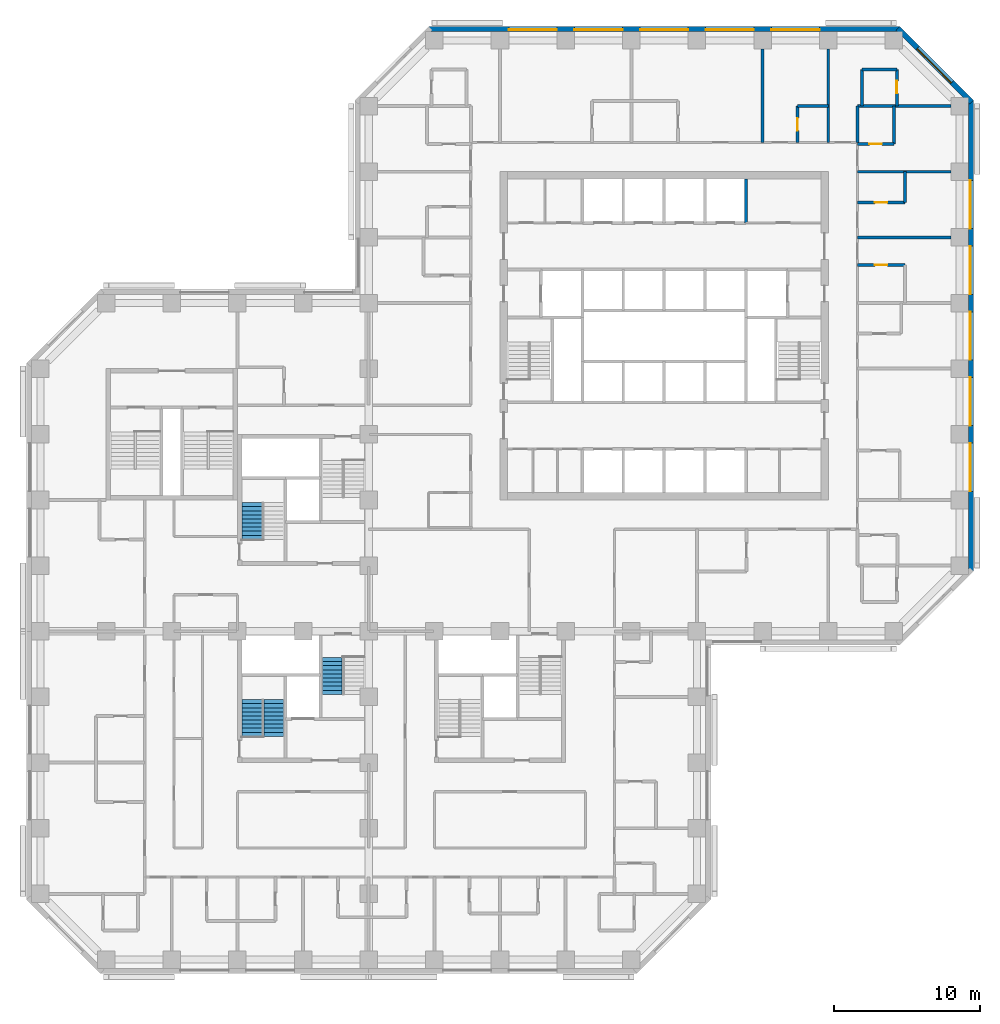
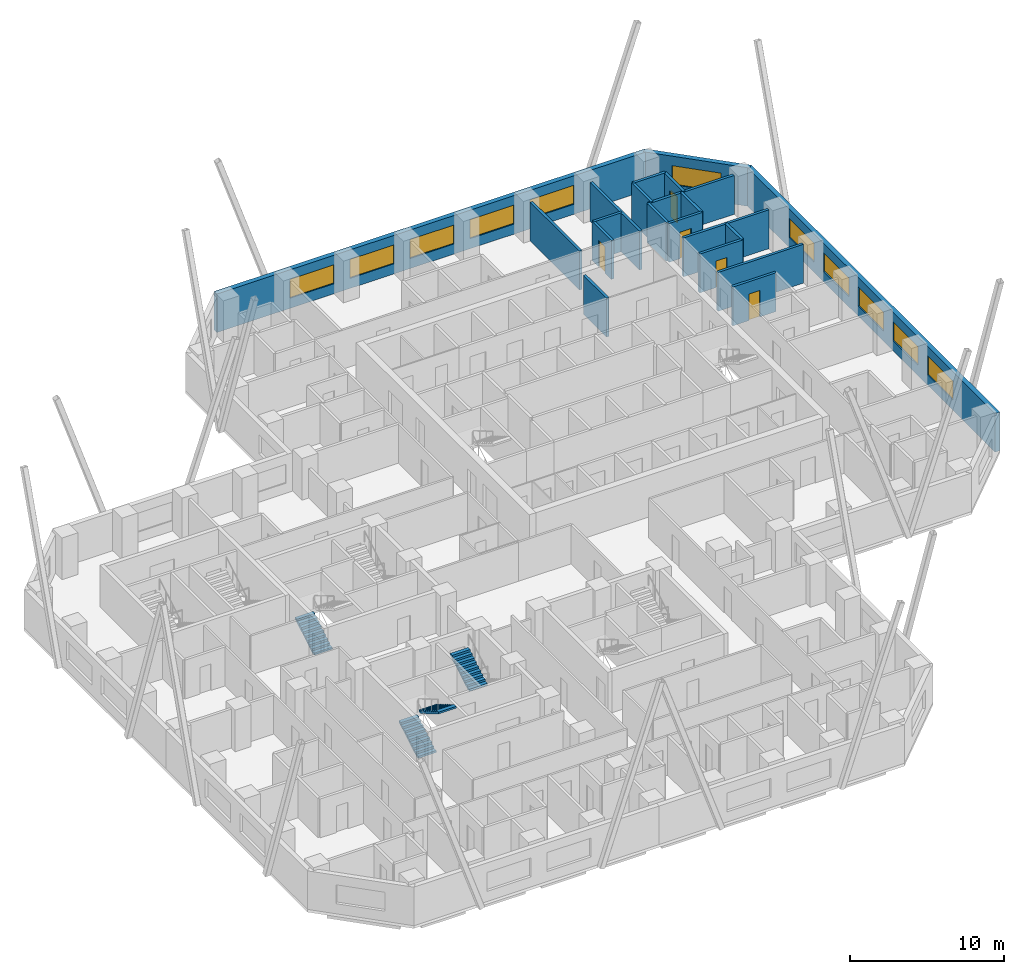
# One storey, part 11 of 13: 20 walls, 11 windows, 5 doors, 4 stair flights, 16 openings, 3 elements without a shape of their own.
"""IFC4 building model written with IfcOpenShell, lengths in metres."""

from ifc_helpers import new_model, si_unit, direction, frame, frame_2d, origin, place, context, subcontext, project, spatial, polyline, rectangle, outline, extrude, material, layer, layer_set, constituent, constituent_set, type_object, element, fill, aggregate, save


model = new_model("IFC4")

# Units and contexts
model_context = context("Model", 3, precision=1e-05, world=origin(), true_north=direction((0.0, 1.0)))
body_context = subcontext(model_context, "Body", "Model", "MODEL_VIEW")
ifc_project = project(units=[si_unit("LENGTHUNIT", "METRE"), si_unit("AREAUNIT", "SQUARE_METRE"), si_unit("VOLUMEUNIT", "CUBIC_METRE"), si_unit("PLANEANGLEUNIT", "RADIAN"), si_unit("MASSUNIT", "GRAM", prefix="KILO")], contexts=[model_context])

# Site, building, storey
site_placement = place(None, origin())
site = spatial("IfcSite", under=ifc_project, at=site_placement, CompositionType="ELEMENT")
building_placement = place(site_placement, origin())
building = spatial("IfcBuilding", under=site, at=building_placement, Name="Quoin Convention Tower", CompositionType="ELEMENT")
storey_placement = place(building_placement, frame((0.0, 0.0, 52.800048828125)))
storey = spatial("IfcBuildingStorey", under=building, at=storey_placement, Name="L13", CompositionType="ELEMENT", Elevation=52.800048828125)

# Wall, openings, windows
ifc_material_1 = material(Name="Brick masonry", Category="masonry")
ifc_layer_1 = layer(ifc_material_1, 0.35009765625)
ifc_layer_set_1 = layer_set([ifc_layer_1], Name="Brick masonry")
wall_type_1 = type_object("IfcWallType", Name="Brick facade wall", PredefinedType="STANDARD", material=ifc_layer_set_1)
wall_1_placement = place(storey_placement, frame((77.27490234375, 44.6064453125, 0.0), z_axis=(0.0, 0.0, 1.0), x_axis=(0.0, 1.0, 0.0)))
wall_1 = element("IfcWall", 1, at=wall_1_placement, inside=storey, type_object=wall_type_1, Name="fw-L13-76500_45000", PredefinedType="STANDARD", context=body_context, shape_type="SweptSolid", body=[
    extrude(rectangle(XDim=32.287109375, YDim=0.35009765625, at=frame_2d((16.1435546875, 0.0))), origin(), (0.0, 0.0, 1.0), 3.054931640625),
])
opening_1_placement = place(wall_1_placement, frame((5.493408203125, 0.0, 0.800048828125)))
opening_1 = element("IfcOpeningElement", 2, at=opening_1_placement, cuts=wall_1, Name="Opening W-01", PredefinedType="OPENING", context=body_context, shape_type="SweptSolid", body=[
    extrude(rectangle(XDim=3.300048828125, YDim=1.5, at=frame_2d((1.64990234375, 0.75))), frame((0.0, 0.18505859375, 0.0), z_axis=(0.0, -1.0, 0.0), x_axis=(1.0, 0.0, 0.0)), (0.0, 0.0, 1.0), 0.3701171875),
])
opening_2_placement = place(wall_1_placement, frame((9.993408203125, 0.0, 0.800048828125)))
opening_2 = element("IfcOpeningElement", 3, at=opening_2_placement, cuts=wall_1, Name="Opening W-01", PredefinedType="OPENING", context=body_context, shape_type="SweptSolid", body=[
    extrude(rectangle(XDim=3.300048828125, YDim=1.5, at=frame_2d((1.64990234375, 0.75))), frame((0.0, 0.18505859375, 0.0), z_axis=(0.0, -1.0, 0.0), x_axis=(1.0, 0.0, 0.0)), (0.0, 0.0, 1.0), 0.3701171875),
])
opening_3_placement = place(wall_1_placement, frame((14.493408203125, 0.0, 0.800048828125)))
opening_3 = element("IfcOpeningElement", 4, at=opening_3_placement, cuts=wall_1, Name="Opening W-01", PredefinedType="OPENING", context=body_context, shape_type="SweptSolid", body=[
    extrude(rectangle(XDim=3.300048828125, YDim=1.5, at=frame_2d((1.64990234375, 0.75))), frame((0.0, 0.18505859375, 0.0), z_axis=(0.0, -1.0, 0.0), x_axis=(1.0, 0.0, 0.0)), (0.0, 0.0, 1.0), 0.3701171875),
])
opening_4_placement = place(wall_1_placement, frame((18.993408203125, 0.0, 0.800048828125)))
opening_4 = element("IfcOpeningElement", 5, at=opening_4_placement, cuts=wall_1, Name="Opening W-01", PredefinedType="OPENING", context=body_context, shape_type="SweptSolid", body=[
    extrude(rectangle(XDim=3.300048828125, YDim=1.5, at=frame_2d((1.64990234375, 0.75))), frame((0.0, 0.18505859375, 0.0), z_axis=(0.0, -1.0, 0.0), x_axis=(1.0, 0.0, 0.0)), (0.0, 0.0, 1.0), 0.3701171875),
])
opening_5_placement = place(wall_1_placement, frame((23.493408203125, 0.0, 0.800048828125)))
opening_5 = element("IfcOpeningElement", 6, at=opening_5_placement, cuts=wall_1, Name="Opening W-01", PredefinedType="OPENING", context=body_context, shape_type="SweptSolid", body=[
    extrude(rectangle(XDim=3.300048828125, YDim=1.5, at=frame_2d((1.64990234375, 0.75))), frame((0.0, 0.18505859375, 0.0), z_axis=(0.0, -1.0, 0.0), x_axis=(1.0, 0.0, 0.0)), (0.0, 0.0, 1.0), 0.3701171875),
])
ifc_material_2 = material(Name="Aluminium", Category="aluminium")
ifc_constituent_1 = constituent(ifc_material_2, Name="Frame")
ifc_material_3 = material(Name="Insulated glass", Category="glass")
ifc_constituent_2 = constituent(ifc_material_3, Name="Glazing")
ifc_constituent_set = constituent_set(constituents=[ifc_constituent_1, ifc_constituent_2], Name="Aluminium")
window_type = type_object("IfcWindowType", Name="Hotel strip window", PartitioningType="DOUBLE_PANEL_VERTICAL", PredefinedType="WINDOW", material=ifc_constituent_set)
window_1_placement = place(opening_1_placement, origin())
window_1 = element("IfcWindow", 7, at=window_1_placement, inside=storey, type_object=window_type, Name="win-L13-77275_51750", OverallHeight=1.5, OverallWidth=3.300048828125, PartitioningType="SINGLE_PANEL", PredefinedType="WINDOW", context=body_context, shape_type="SweptSolid", body=[
    extrude(rectangle(XDim=3.300048828125, YDim=1.5, at=frame_2d((1.64990234375, 0.75))), frame((0.0, 0.0849609375, 0.0), z_axis=(0.0, -1.0, 0.0), x_axis=(1.0, 0.0, 0.0)), (0.0, 0.0, 1.0), 0.06005859375),
])
fill(opening_1, window_1)
window_2_placement = place(opening_2_placement, origin())
window_2 = element("IfcWindow", 8, at=window_2_placement, inside=storey, type_object=window_type, Name="win-L13-77275_56250", OverallHeight=1.5, OverallWidth=3.300048828125, PartitioningType="SINGLE_PANEL", PredefinedType="WINDOW", context=body_context, shape_type="SweptSolid", body=[
    extrude(rectangle(XDim=3.300048828125, YDim=1.5, at=frame_2d((1.64990234375, 0.75))), frame((0.0, 0.0849609375, 0.0), z_axis=(0.0, -1.0, 0.0), x_axis=(1.0, 0.0, 0.0)), (0.0, 0.0, 1.0), 0.06005859375),
])
fill(opening_2, window_2)
window_3_placement = place(opening_3_placement, origin())
window_3 = element("IfcWindow", 9, at=window_3_placement, inside=storey, type_object=window_type, Name="win-L13-77275_60750", OverallHeight=1.5, OverallWidth=3.300048828125, PartitioningType="SINGLE_PANEL", PredefinedType="WINDOW", context=body_context, shape_type="SweptSolid", body=[
    extrude(rectangle(XDim=3.300048828125, YDim=1.5, at=frame_2d((1.64990234375, 0.75))), frame((0.0, 0.0849609375, 0.0), z_axis=(0.0, -1.0, 0.0), x_axis=(1.0, 0.0, 0.0)), (0.0, 0.0, 1.0), 0.06005859375),
])
fill(opening_3, window_3)
window_4_placement = place(opening_4_placement, origin())
window_4 = element("IfcWindow", 10, at=window_4_placement, inside=storey, type_object=window_type, Name="win-L13-77275_65250", OverallHeight=1.5, OverallWidth=3.300048828125, PartitioningType="SINGLE_PANEL", PredefinedType="WINDOW", context=body_context, shape_type="SweptSolid", body=[
    extrude(rectangle(XDim=3.300048828125, YDim=1.5, at=frame_2d((1.64990234375, 0.75))), frame((0.0, 0.0849609375, 0.0), z_axis=(0.0, -1.0, 0.0), x_axis=(1.0, 0.0, 0.0)), (0.0, 0.0, 1.0), 0.06005859375),
])
fill(opening_4, window_4)
window_5_placement = place(opening_5_placement, origin())
window_5 = element("IfcWindow", 11, at=window_5_placement, inside=storey, type_object=window_type, Name="win-L13-77275_69750", OverallHeight=1.5, OverallWidth=3.300048828125, PartitioningType="SINGLE_PANEL", PredefinedType="WINDOW", context=body_context, shape_type="SweptSolid", body=[
    extrude(rectangle(XDim=3.300048828125, YDim=1.5, at=frame_2d((1.64990234375, 0.75))), frame((0.0, 0.0849609375, 0.0), z_axis=(0.0, -1.0, 0.0), x_axis=(1.0, 0.0, 0.0)), (0.0, 0.0, 1.0), 0.06005859375),
])
fill(opening_5, window_5)

# Wall, opening, window
wall_2_placement = place(storey_placement, frame((77.326416015625, 76.769775390625, 0.0), z_axis=(0.0, 0.0, 1.0), x_axis=(-0.707106781187, 0.707106781187, 0.0)))
wall_2 = element("IfcWall", 12, at=wall_2_placement, inside=storey, type_object=wall_type_1, Name="fw-L13-76500_76500", PredefinedType="STANDARD", context=body_context, shape_type="SweptSolid", body=[
    extrude(rectangle(XDim=7.151123046875, YDim=0.35009765625, at=frame_2d((3.57568359375, 0.0))), origin(), (0.0, 0.0, 1.0), 3.054931640625),
])
opening_6_placement = place(wall_2_placement, frame((1.925537109375, 0.0, 0.800048828125)))
opening_6 = element("IfcOpeningElement", 13, at=opening_6_placement, cuts=wall_2, Name="Opening W-01", PredefinedType="OPENING", context=body_context, shape_type="SweptSolid", body=[
    extrude(rectangle(XDim=3.300048828125, YDim=1.5, at=frame_2d((1.64990234375, 0.75))), frame((0.0, 0.18505859375, 0.0), z_axis=(0.0, -1.0, 0.0), x_axis=(1.0, 0.0, 0.0)), (0.0, 0.0, 1.0), 0.3701171875),
])
window_6_placement = place(opening_6_placement, origin())
window_6 = element("IfcWindow", 14, at=window_6_placement, inside=storey, type_object=window_type, Name="win-L13-74798_79298", OverallHeight=1.5, OverallWidth=3.300048828125, PartitioningType="SINGLE_PANEL", PredefinedType="WINDOW", context=body_context, shape_type="SweptSolid", body=[
    extrude(rectangle(XDim=3.300048828125, YDim=1.5, at=frame_2d((1.64990234375, 0.75))), frame((0.0, 0.0849609375, 0.0), z_axis=(0.0, -1.0, 0.0), x_axis=(1.0, 0.0, 0.0)), (0.0, 0.0, 1.0), 0.06005859375),
])
fill(opening_6, window_6)

# Wall, openings, windows
wall_3_placement = place(storey_placement, frame((72.3935546875, 81.77490234375, 0.0), z_axis=(0.0, 0.0, 1.0), x_axis=(-1.0, 0.0, 0.0)))
wall_3 = element("IfcWall", 15, at=wall_3_placement, inside=storey, type_object=wall_type_1, Name="fw-L13-72000_81000", PredefinedType="STANDARD", context=body_context, shape_type="SweptSolid", body=[
    extrude(rectangle(XDim=32.287109375, YDim=0.35009765625, at=frame_2d((16.1435546875, 0.0))), origin(), (0.0, 0.0, 1.0), 3.054931640625),
])
opening_7_placement = place(wall_3_placement, frame((5.493408203125, 0.0, 0.800048828125)))
opening_7 = element("IfcOpeningElement", 16, at=opening_7_placement, cuts=wall_3, Name="Opening W-01", PredefinedType="OPENING", context=body_context, shape_type="SweptSolid", body=[
    extrude(rectangle(XDim=3.300048828125, YDim=1.5, at=frame_2d((1.64990234375, 0.75))), frame((0.0, 0.18505859375, 0.0), z_axis=(0.0, -1.0, 0.0), x_axis=(1.0, 0.0, 0.0)), (0.0, 0.0, 1.0), 0.3701171875),
])
opening_8_placement = place(wall_3_placement, frame((9.993408203125, 0.0, 0.800048828125)))
opening_8 = element("IfcOpeningElement", 17, at=opening_8_placement, cuts=wall_3, Name="Opening W-01", PredefinedType="OPENING", context=body_context, shape_type="SweptSolid", body=[
    extrude(rectangle(XDim=3.300048828125, YDim=1.5, at=frame_2d((1.64990234375, 0.75))), frame((0.0, 0.18505859375, 0.0), z_axis=(0.0, -1.0, 0.0), x_axis=(1.0, 0.0, 0.0)), (0.0, 0.0, 1.0), 0.3701171875),
])
opening_9_placement = place(wall_3_placement, frame((14.493408203125, 0.0, 0.800048828125)))
opening_9 = element("IfcOpeningElement", 18, at=opening_9_placement, cuts=wall_3, Name="Opening W-01", PredefinedType="OPENING", context=body_context, shape_type="SweptSolid", body=[
    extrude(rectangle(XDim=3.300048828125, YDim=1.5, at=frame_2d((1.64990234375, 0.75))), frame((0.0, 0.18505859375, 0.0), z_axis=(0.0, -1.0, 0.0), x_axis=(1.0, 0.0, 0.0)), (0.0, 0.0, 1.0), 0.3701171875),
])
opening_10_placement = place(wall_3_placement, frame((18.993408203125, 0.0, 0.800048828125)))
opening_10 = element("IfcOpeningElement", 19, at=opening_10_placement, cuts=wall_3, Name="Opening W-01", PredefinedType="OPENING", context=body_context, shape_type="SweptSolid", body=[
    extrude(rectangle(XDim=3.300048828125, YDim=1.5, at=frame_2d((1.64990234375, 0.75))), frame((0.0, 0.18505859375, 0.0), z_axis=(0.0, -1.0, 0.0), x_axis=(1.0, 0.0, 0.0)), (0.0, 0.0, 1.0), 0.3701171875),
])
opening_11_placement = place(wall_3_placement, frame((23.493408203125, 0.0, 0.800048828125)))
opening_11 = element("IfcOpeningElement", 20, at=opening_11_placement, cuts=wall_3, Name="Opening W-01", PredefinedType="OPENING", context=body_context, shape_type="SweptSolid", body=[
    extrude(rectangle(XDim=3.300048828125, YDim=1.5, at=frame_2d((1.64990234375, 0.75))), frame((0.0, 0.18505859375, 0.0), z_axis=(0.0, -1.0, 0.0), x_axis=(1.0, 0.0, 0.0)), (0.0, 0.0, 1.0), 0.3701171875),
])
window_7_placement = place(opening_7_placement, origin())
window_7 = element("IfcWindow", 21, at=window_7_placement, inside=storey, type_object=window_type, Name="win-L13-65250_81775", OverallHeight=1.5, OverallWidth=3.300048828125, PartitioningType="SINGLE_PANEL", PredefinedType="WINDOW", context=body_context, shape_type="SweptSolid", body=[
    extrude(rectangle(XDim=3.300048828125, YDim=1.5, at=frame_2d((1.64990234375, 0.75))), frame((0.0, 0.0849609375, 0.0), z_axis=(0.0, -1.0, 0.0), x_axis=(1.0, 0.0, 0.0)), (0.0, 0.0, 1.0), 0.06005859375),
])
fill(opening_7, window_7)
window_8_placement = place(opening_8_placement, origin())
window_8 = element("IfcWindow", 22, at=window_8_placement, inside=storey, type_object=window_type, Name="win-L13-60750_81775", OverallHeight=1.5, OverallWidth=3.300048828125, PartitioningType="SINGLE_PANEL", PredefinedType="WINDOW", context=body_context, shape_type="SweptSolid", body=[
    extrude(rectangle(XDim=3.300048828125, YDim=1.5, at=frame_2d((1.64990234375, 0.75))), frame((0.0, 0.0849609375, 0.0), z_axis=(0.0, -1.0, 0.0), x_axis=(1.0, 0.0, 0.0)), (0.0, 0.0, 1.0), 0.06005859375),
])
fill(opening_8, window_8)
window_9_placement = place(opening_9_placement, origin())
window_9 = element("IfcWindow", 23, at=window_9_placement, inside=storey, type_object=window_type, Name="win-L13-56250_81775", OverallHeight=1.5, OverallWidth=3.300048828125, PartitioningType="SINGLE_PANEL", PredefinedType="WINDOW", context=body_context, shape_type="SweptSolid", body=[
    extrude(rectangle(XDim=3.300048828125, YDim=1.5, at=frame_2d((1.64990234375, 0.75))), frame((0.0, 0.0849609375, 0.0), z_axis=(0.0, -1.0, 0.0), x_axis=(1.0, 0.0, 0.0)), (0.0, 0.0, 1.0), 0.06005859375),
])
fill(opening_9, window_9)
window_10_placement = place(opening_10_placement, origin())
window_10 = element("IfcWindow", 24, at=window_10_placement, inside=storey, type_object=window_type, Name="win-L13-51750_81775", OverallHeight=1.5, OverallWidth=3.300048828125, PartitioningType="SINGLE_PANEL", PredefinedType="WINDOW", context=body_context, shape_type="SweptSolid", body=[
    extrude(rectangle(XDim=3.300048828125, YDim=1.5, at=frame_2d((1.64990234375, 0.75))), frame((0.0, 0.0849609375, 0.0), z_axis=(0.0, -1.0, 0.0), x_axis=(1.0, 0.0, 0.0)), (0.0, 0.0, 1.0), 0.06005859375),
])
fill(opening_10, window_10)
window_11_placement = place(opening_11_placement, origin())
window_11 = element("IfcWindow", 25, at=window_11_placement, inside=storey, type_object=window_type, Name="win-L13-47250_81775", OverallHeight=1.5, OverallWidth=3.300048828125, PartitioningType="SINGLE_PANEL", PredefinedType="WINDOW", context=body_context, shape_type="SweptSolid", body=[
    extrude(rectangle(XDim=3.300048828125, YDim=1.5, at=frame_2d((1.64990234375, 0.75))), frame((0.0, 0.0849609375, 0.0), z_axis=(0.0, -1.0, 0.0), x_axis=(1.0, 0.0, 0.0)), (0.0, 0.0, 1.0), 0.06005859375),
])
fill(opening_11, window_11)

# Wall
ifc_material_4 = material(Name="Concrete C50", Category="concrete")
ifc_layer_2 = layer(ifc_material_4, 0.199951171875)
ifc_layer_set_2 = layer_set([ifc_layer_2], Name="Concrete C50")
wall_type_2 = type_object("IfcWallType", Name="Core shaft wall", PredefinedType="SOLIDWALL", material=ifc_layer_set_2)
wall_4_placement = place(storey_placement, frame((61.85009765625, 68.5, 0.0), z_axis=(0.0, 0.0, 1.0), x_axis=(0.0, 1.0, 0.0)))
element("IfcWall", 26, at=wall_4_placement, inside=storey, type_object=wall_type_2, Name="cr-C1-L13-v16850_19000", PredefinedType="SOLIDWALL", context=body_context, shape_type="SweptSolid", body=[
    extrude(rectangle(XDim=3.0, YDim=0.199951171875, at=frame_2d((1.5, 0.0))), origin(), (0.0, 0.0, 1.0), 3.079833984375),
])

# Wall, opening, door
ifc_layer_3 = layer(ifc_material_4, 0.199951171875)
ifc_layer_set_3 = layer_set([ifc_layer_3], Name="Concrete C50")
wall_type_3 = type_object("IfcWallType", Name="RC party wall", PredefinedType="SOLIDWALL", material=ifc_layer_set_3)
wall_5_placement = place(storey_placement, frame((69.5, 65.60009765625, 0.0), z_axis=(0.0, 0.0, 1.0), x_axis=(1.0, 0.0, 0.0)))
wall_5 = element("IfcWall", 27, at=wall_5_placement, inside=storey, type_object=wall_type_3, Name="pw-L13-112", PredefinedType="SOLIDWALL", context=body_context, shape_type="SweptSolid", body=[
    extrude(rectangle(XDim=3.25, YDim=0.199951171875, at=frame_2d((1.625, 0.0))), origin(), (0.0, 0.0, 1.0), 3.079833984375),
])
opening_12_placement = place(wall_5_placement, frame((1.199951171875, 0.0, 0.0)))
opening_12 = element("IfcOpeningElement", 28, at=opening_12_placement, cuts=wall_5, Name="Opening DHOTEL-B-63", PredefinedType="OPENING", context=body_context, shape_type="SweptSolid", body=[
    extrude(rectangle(XDim=0.85009765625, YDim=2.10009765625, at=frame_2d((0.425048828125, 1.050048828125))), frame((0.0, 0.10986328125, 0.0), z_axis=(0.0, -1.0, 0.0), x_axis=(1.0, 0.0, 0.0)), (0.0, 0.0, 1.0), 0.219970703125),
])
ifc_material_5 = material(Name="Steel door leaf", Category="steel")
door_type = type_object("IfcDoorType", Name="Bathroom door", OperationType="SINGLE_SWING_LEFT", PredefinedType="DOOR", material=ifc_material_5)
door_1_placement = place(opening_12_placement, origin())
door_1 = element("IfcDoor", 29, at=door_1_placement, inside=storey, type_object=door_type, Name="dr-L13-048", OperationType="SINGLE_SWING_LEFT", OverallHeight=2.10009765625, OverallWidth=0.85009765625, PredefinedType="DOOR", context=body_context, shape_type="SweptSolid", body=[
    extrude(rectangle(XDim=0.85009765625, YDim=2.10009765625, at=frame_2d((0.425048828125, 1.050048828125))), frame((0.0, 0.02490234375, 0.0), z_axis=(0.0, -1.0, 0.0), x_axis=(1.0, 0.0, 0.0)), (0.0, 0.0, 1.0), 0.050048828125),
])
fill(opening_12, door_1)

# Wall
wall_6_placement = place(storey_placement, frame((69.5, 67.5, 0.0), z_axis=(0.0, 0.0, 1.0), x_axis=(1.0, 0.0, 0.0)))
element("IfcWall", 30, at=wall_6_placement, inside=storey, type_object=wall_type_3, Name="pw-L13-115", PredefinedType="SOLIDWALL", context=body_context, shape_type="SweptSolid", body=[
    extrude(rectangle(XDim=6.39990234375, YDim=0.199951171875, at=frame_2d((3.199951171875, 0.0))), origin(), (0.0, 0.0, 1.0), 3.079833984375),
])

# Wall, opening, door
wall_7_placement = place(storey_placement, frame((69.5, 69.89990234375, 0.0), z_axis=(0.0, 0.0, 1.0), x_axis=(1.0, 0.0, 0.0)))
wall_7 = element("IfcWall", 31, at=wall_7_placement, inside=storey, type_object=wall_type_3, Name="pw-L13-117", PredefinedType="SOLIDWALL", context=body_context, shape_type="SweptSolid", body=[
    extrude(rectangle(XDim=3.25, YDim=0.199951171875, at=frame_2d((1.625, 0.0))), origin(), (0.0, 0.0, 1.0), 3.079833984375),
])
opening_13_placement = place(wall_7_placement, frame((1.199951171875, 0.0, 0.0)))
opening_13 = element("IfcOpeningElement", 32, at=opening_13_placement, cuts=wall_7, Name="Opening DHOTEL-B-65", PredefinedType="OPENING", context=body_context, shape_type="SweptSolid", body=[
    extrude(rectangle(XDim=0.85009765625, YDim=2.10009765625, at=frame_2d((0.425048828125, 1.050048828125))), frame((0.0, 0.10986328125, 0.0), z_axis=(0.0, -1.0, 0.0), x_axis=(1.0, 0.0, 0.0)), (0.0, 0.0, 1.0), 0.219970703125),
])
door_2_placement = place(opening_13_placement, frame((0.85009765625, 0.0, 0.0), z_axis=(0.0, 0.0, 1.0), x_axis=(-1.0, 0.0, 0.0)))
door_2 = element("IfcDoor", 33, at=door_2_placement, inside=storey, type_object=door_type, Name="dr-L13-046", OperationType="SINGLE_SWING_RIGHT", OverallHeight=2.10009765625, OverallWidth=0.85009765625, PredefinedType="DOOR", context=body_context, shape_type="SweptSolid", body=[
    extrude(rectangle(XDim=0.85009765625, YDim=2.10009765625, at=frame_2d((0.425048828125, 1.050048828125))), frame((0.0, 0.02490234375, 0.0), z_axis=(0.0, -1.0, 0.0), x_axis=(1.0, 0.0, 0.0)), (0.0, 0.0, 1.0), 0.050048828125),
])
fill(opening_13, door_2)

# Walls
wall_8_placement = place(storey_placement, frame((72.75, 69.89990234375, 0.0), z_axis=(0.0, 0.0, 1.0), x_axis=(0.0, 1.0, 0.0)))
element("IfcWall", 34, at=wall_8_placement, inside=storey, type_object=wall_type_3, Name="pw-L13-118", PredefinedType="SOLIDWALL", context=body_context, shape_type="SweptSolid", body=[
    extrude(rectangle(XDim=2.10009765625, YDim=0.199951171875, at=frame_2d((1.050048828125, 0.0))), origin(), (0.0, 0.0, 1.0), 3.079833984375),
])
wall_9_placement = place(storey_placement, frame((69.5, 72.0, 0.0), z_axis=(0.0, 0.0, 1.0), x_axis=(1.0, 0.0, 0.0)))
element("IfcWall", 35, at=wall_9_placement, inside=storey, type_object=wall_type_3, Name="pw-L13-120", PredefinedType="SOLIDWALL", context=body_context, shape_type="SweptSolid", body=[
    extrude(rectangle(XDim=6.39990234375, YDim=0.199951171875, at=frame_2d((3.199951171875, 0.0))), origin(), (0.0, 0.0, 1.0), 3.079833984375),
])

# Wall, opening, door
wall_10_placement = place(storey_placement, frame((69.5, 73.89990234375, 0.0), z_axis=(0.0, 0.0, 1.0), x_axis=(1.0, 0.0, 0.0)))
wall_10 = element("IfcWall", 36, at=wall_10_placement, inside=storey, type_object=wall_type_3, Name="pw-L13-123", PredefinedType="SOLIDWALL", context=body_context, shape_type="SweptSolid", body=[
    extrude(rectangle(XDim=2.5, YDim=0.199951171875, at=frame_2d((1.25, 0.0))), origin(), (0.0, 0.0, 1.0), 3.079833984375),
])
opening_14_placement = place(wall_10_placement, frame((0.824951171875, 0.0, 0.0)))
opening_14 = element("IfcOpeningElement", 37, at=opening_14_placement, cuts=wall_10, Name="Opening DHOTEL-B-67", PredefinedType="OPENING", context=body_context, shape_type="SweptSolid", body=[
    extrude(rectangle(XDim=0.85009765625, YDim=2.10009765625, at=frame_2d((0.425048828125, 1.050048828125))), frame((0.0, 0.10986328125, 0.0), z_axis=(0.0, -1.0, 0.0), x_axis=(1.0, 0.0, 0.0)), (0.0, 0.0, 1.0), 0.219970703125),
])
door_3_placement = place(opening_14_placement, origin())
door_3 = element("IfcDoor", 38, at=door_3_placement, inside=storey, type_object=door_type, Name="dr-L13-044", OperationType="SINGLE_SWING_LEFT", OverallHeight=2.10009765625, OverallWidth=0.85009765625, PredefinedType="DOOR", context=body_context, shape_type="SweptSolid", body=[
    extrude(rectangle(XDim=0.85009765625, YDim=2.10009765625, at=frame_2d((0.425048828125, 1.050048828125))), frame((0.0, 0.02490234375, 0.0), z_axis=(0.0, -1.0, 0.0), x_axis=(1.0, 0.0, 0.0)), (0.0, 0.0, 1.0), 0.050048828125),
])
fill(opening_14, door_3)

# Walls
wall_11_placement = place(storey_placement, frame((72.0, 73.89990234375, 0.0), z_axis=(0.0, 0.0, 1.0), x_axis=(0.0, 1.0, 0.0)))
element("IfcWall", 39, at=wall_11_placement, inside=storey, type_object=wall_type_3, Name="pw-L13-124", PredefinedType="SOLIDWALL", context=body_context, shape_type="SweptSolid", body=[
    extrude(rectangle(XDim=2.60009765625, YDim=0.199951171875, at=frame_2d((1.300048828125, 0.0))), origin(), (0.0, 0.0, 1.0), 3.079833984375),
])
wall_12_placement = place(storey_placement, frame((63.0, 74.0, 0.0), z_axis=(0.0, 0.0, 1.0), x_axis=(0.0, 1.0, 0.0)))
element("IfcWall", 40, at=wall_12_placement, inside=storey, type_object=wall_type_3, Name="pw-L13-130", PredefinedType="SOLIDWALL", context=body_context, shape_type="SweptSolid", body=[
    extrude(rectangle(XDim=6.39990234375, YDim=0.199951171875, at=frame_2d((3.199951171875, 0.0))), origin(), (0.0, 0.0, 1.0), 3.079833984375),
])

# Wall, opening, door
wall_13_placement = place(storey_placement, frame((65.39990234375, 74.0, 0.0), z_axis=(0.0, 0.0, 1.0), x_axis=(0.0, 1.0, 0.0)))
wall_13 = element("IfcWall", 41, at=wall_13_placement, inside=storey, type_object=wall_type_3, Name="pw-L13-131", PredefinedType="SOLIDWALL", context=body_context, shape_type="SweptSolid", body=[
    extrude(rectangle(XDim=2.5, YDim=0.199951171875, at=frame_2d((1.25, 0.0))), origin(), (0.0, 0.0, 1.0), 3.079833984375),
])
opening_15_placement = place(wall_13_placement, frame((0.824951171875, 0.0, 0.0)))
opening_15 = element("IfcOpeningElement", 42, at=opening_15_placement, cuts=wall_13, Name="Opening DHOTEL-B-70", PredefinedType="OPENING", context=body_context, shape_type="SweptSolid", body=[
    extrude(rectangle(XDim=0.85009765625, YDim=2.10009765625, at=frame_2d((0.425048828125, 1.050048828125))), frame((0.0, 0.10986328125, 0.0), z_axis=(0.0, -1.0, 0.0), x_axis=(1.0, 0.0, 0.0)), (0.0, 0.0, 1.0), 0.219970703125),
])
door_4_placement = place(opening_15_placement, frame((0.85009765625, 0.0, 0.0), z_axis=(0.0, 0.0, 1.0), x_axis=(-1.0, 0.0, 0.0)))
door_4 = element("IfcDoor", 43, at=door_4_placement, inside=storey, type_object=door_type, Name="dr-L13-042", OperationType="SINGLE_SWING_RIGHT", OverallHeight=2.10009765625, OverallWidth=0.85009765625, PredefinedType="DOOR", context=body_context, shape_type="SweptSolid", body=[
    extrude(rectangle(XDim=0.85009765625, YDim=2.10009765625, at=frame_2d((0.425048828125, 1.050048828125))), frame((0.0, 0.02490234375, 0.0), z_axis=(0.0, -1.0, 0.0), x_axis=(1.0, 0.0, 0.0)), (0.0, 0.0, 1.0), 0.050048828125),
])
fill(opening_15, door_4)

# Walls
wall_14_placement = place(storey_placement, frame((67.5, 74.0, 0.0), z_axis=(0.0, 0.0, 1.0), x_axis=(0.0, 1.0, 0.0)))
element("IfcWall", 44, at=wall_14_placement, inside=storey, type_object=wall_type_3, Name="pw-L13-132", PredefinedType="SOLIDWALL", context=body_context, shape_type="SweptSolid", body=[
    extrude(rectangle(XDim=6.39990234375, YDim=0.199951171875, at=frame_2d((3.199951171875, 0.0))), origin(), (0.0, 0.0, 1.0), 3.079833984375),
])
wall_15_placement = place(storey_placement, frame((69.5, 74.0, 0.0), z_axis=(0.0, 0.0, 1.0), x_axis=(0.0, 1.0, 0.0)))
element("IfcWall", 45, at=wall_15_placement, inside=storey, type_object=wall_type_3, Name="pw-L13-133", PredefinedType="SOLIDWALL", context=body_context, shape_type="SweptSolid", body=[
    extrude(rectangle(XDim=2.5, YDim=0.199951171875, at=frame_2d((1.25, 0.0))), origin(), (0.0, 0.0, 1.0), 3.079833984375),
])
wall_16_placement = place(storey_placement, frame((65.39990234375, 76.5, 0.0), z_axis=(0.0, 0.0, 1.0), x_axis=(1.0, 0.0, 0.0)))
element("IfcWall", 46, at=wall_16_placement, inside=storey, type_object=wall_type_3, Name="pw-L13-137", PredefinedType="SOLIDWALL", context=body_context, shape_type="SweptSolid", body=[
    extrude(rectangle(XDim=2.10009765625, YDim=0.199951171875, at=frame_2d((1.050048828125, 0.0))), origin(), (0.0, 0.0, 1.0), 3.079833984375),
])
wall_17_placement = place(storey_placement, frame((69.5, 76.5, 0.0), z_axis=(0.0, 0.0, 1.0), x_axis=(1.0, 0.0, 0.0)))
element("IfcWall", 47, at=wall_17_placement, inside=storey, type_object=wall_type_3, Name="pw-L13-138", PredefinedType="SOLIDWALL", context=body_context, shape_type="SweptSolid", body=[
    extrude(rectangle(XDim=6.39990234375, YDim=0.199951171875, at=frame_2d((3.199951171875, 0.0))), origin(), (0.0, 0.0, 1.0), 3.079833984375),
])
wall_18_placement = place(storey_placement, frame((69.800048828125, 76.5, 0.0), z_axis=(0.0, 0.0, 1.0), x_axis=(0.0, 1.0, 0.0)))
element("IfcWall", 48, at=wall_18_placement, inside=storey, type_object=wall_type_3, Name="pw-L13-139", PredefinedType="SOLIDWALL", context=body_context, shape_type="SweptSolid", body=[
    extrude(rectangle(XDim=2.5, YDim=0.199951171875, at=frame_2d((1.25, 0.0))), origin(), (0.0, 0.0, 1.0), 3.079833984375),
])

# Wall, opening, door
wall_19_placement = place(storey_placement, frame((72.199951171875, 76.5, 0.0), z_axis=(0.0, 0.0, 1.0), x_axis=(0.0, 1.0, 0.0)))
wall_19 = element("IfcWall", 49, at=wall_19_placement, inside=storey, type_object=wall_type_3, Name="pw-L13-140", PredefinedType="SOLIDWALL", context=body_context, shape_type="SweptSolid", body=[
    extrude(rectangle(XDim=2.5, YDim=0.199951171875, at=frame_2d((1.25, 0.0))), origin(), (0.0, 0.0, 1.0), 3.079833984375),
])
opening_16_placement = place(wall_19_placement, frame((0.875, 0.0, 0.0)))
opening_16 = element("IfcOpeningElement", 50, at=opening_16_placement, cuts=wall_19, Name="Opening DHOTEL-B-72", PredefinedType="OPENING", context=body_context, shape_type="SweptSolid", body=[
    extrude(rectangle(XDim=0.85009765625, YDim=2.10009765625, at=frame_2d((0.425048828125, 1.050048828125))), frame((0.0, 0.10986328125, 0.0), z_axis=(0.0, -1.0, 0.0), x_axis=(1.0, 0.0, 0.0)), (0.0, 0.0, 1.0), 0.219970703125),
])
door_5_placement = place(opening_16_placement, frame((0.85009765625, 0.0, 0.0), z_axis=(0.0, 0.0, 1.0), x_axis=(-1.0, 0.0, 0.0)))
door_5 = element("IfcDoor", 51, at=door_5_placement, inside=storey, type_object=door_type, Name="dr-L13-066", OperationType="SINGLE_SWING_LEFT", OverallHeight=2.10009765625, OverallWidth=0.85009765625, PredefinedType="DOOR", context=body_context, shape_type="SweptSolid", body=[
    extrude(rectangle(XDim=0.85009765625, YDim=2.10009765625, at=frame_2d((0.425048828125, 1.050048828125))), frame((0.0, 0.02490234375, 0.0), z_axis=(0.0, -1.0, 0.0), x_axis=(1.0, 0.0, 0.0)), (0.0, 0.0, 1.0), 0.050048828125),
])
fill(opening_16, door_5)

# Wall
wall_20_placement = place(storey_placement, frame((69.800048828125, 79.0, 0.0), z_axis=(0.0, 0.0, 1.0), x_axis=(1.0, 0.0, 0.0)))
element("IfcWall", 52, at=wall_20_placement, inside=storey, type_object=wall_type_3, Name="pw-L13-143", PredefinedType="SOLIDWALL", context=body_context, shape_type="SweptSolid", body=[
    extrude(rectangle(XDim=2.39990234375, YDim=0.199951171875, at=frame_2d((1.199951171875, 0.0))), origin(), (0.0, 0.0, 1.0), 3.079833984375),
])

# Stair, stair flight
ifc_material_6 = material(Name="Concrete C40", Category="concrete")
stair_type = type_object("IfcStairType", Name="Exit stair two-flight 1350", PredefinedType="HALF_TURN_STAIR", material=ifc_material_6)
stair_1_placement = place(storey_placement, origin())
stair_1 = element("IfcStair", 53, at=stair_1_placement, inside=storey, type_object=stair_type, Name="SD3 L13", PredefinedType="HALF_TURN_STAIR")
stair_flight_type = type_object("IfcStairFlightType", Name="Stair flight 1350", PredefinedType="STRAIGHT", material=ifc_material_6)
stair_flight_1_placement = place(storey_placement, frame((28.0, 46.800048828125, 0.0), z_axis=(0.0, 0.0, 1.0), x_axis=(0.0, 1.0, 0.0)))
stair_flight_1 = element("IfcStairFlight", 54, at=stair_flight_1_placement, type_object=stair_flight_type, Name="ST3 flight 1", NumberOfRisers=10, NumberOfTreads=9, PredefinedType="STRAIGHT", RiserHeight=0.165, TreadLength=0.28, context=body_context, shape_type="SweptSolid", body=[
    extrude(outline(polyline([(0.0, 0.0), (0.0, 0.1650390625), (0.280029296875, 0.1650390625), (0.280029296875, 0.330078125), (0.56005859375, 0.330078125), (0.56005859375, 0.4951171875), (0.840087890625, 0.4951171875), (0.840087890625, 0.659912109375), (1.1201171875, 0.659912109375), (1.1201171875, 0.824951171875), (1.39990234375, 0.824951171875), (1.39990234375, 0.989990234375), (1.679931640625, 0.989990234375), (1.679931640625, 1.155029296875), (1.9599609375, 1.155029296875), (1.9599609375, 1.320068359375), (2.239990234375, 1.320068359375), (2.239990234375, 1.485107421875), (2.52001953125, 1.485107421875), (2.52001953125, 1.64990234375), (2.52001953125, 1.345458984375), (0.236572265625, 0.0), (0.0, 0.0)])), frame((0.0, 0.675048828125, 0.0), z_axis=(0.0, -1.0, 0.0), x_axis=(1.0, 0.0, 0.0)), (0.0, 0.0, 1.0), 1.35009765625),
])
aggregate(stair_1, [stair_flight_1])

# Stair, stair flights
stair_2_placement = place(storey_placement, origin())
stair_2 = element("IfcStair", 55, at=stair_2_placement, inside=storey, type_object=stair_type, Name="SD7 L13", PredefinedType="HALF_TURN_STAIR")
stair_flight_2_placement = place(storey_placement, frame((28.0, 33.300048828125, 0.0), z_axis=(0.0, 0.0, 1.0), x_axis=(0.0, 1.0, 0.0)))
stair_flight_2 = element("IfcStairFlight", 56, at=stair_flight_2_placement, type_object=stair_flight_type, Name="ST7 flight 1", NumberOfRisers=10, NumberOfTreads=9, PredefinedType="STRAIGHT", RiserHeight=0.165, TreadLength=0.28, context=body_context, shape_type="SweptSolid", body=[
    extrude(outline(polyline([(0.0, 0.0), (0.0, 0.1650390625), (0.280029296875, 0.1650390625), (0.280029296875, 0.330078125), (0.56005859375, 0.330078125), (0.56005859375, 0.4951171875), (0.840087890625, 0.4951171875), (0.840087890625, 0.659912109375), (1.1201171875, 0.659912109375), (1.1201171875, 0.824951171875), (1.39990234375, 0.824951171875), (1.39990234375, 0.989990234375), (1.679931640625, 0.989990234375), (1.679931640625, 1.155029296875), (1.9599609375, 1.155029296875), (1.9599609375, 1.320068359375), (2.239990234375, 1.320068359375), (2.239990234375, 1.485107421875), (2.52001953125, 1.485107421875), (2.52001953125, 1.64990234375), (2.52001953125, 1.345458984375), (0.236572265625, 0.0), (0.0, 0.0)])), frame((0.0, 0.675048828125, 0.0), z_axis=(0.0, -1.0, 0.0), x_axis=(1.0, 0.0, 0.0)), (0.0, 0.0, 1.0), 1.35009765625),
])
stair_flight_3_placement = place(storey_placement, frame((29.5, 35.820068359375, 1.64990234375), z_axis=(0.0, 0.0, 1.0), x_axis=(0.0, -1.0, 0.0)))
stair_flight_3 = element("IfcStairFlight", 57, at=stair_flight_3_placement, type_object=stair_flight_type, Name="ST7 flight 2", NumberOfRisers=10, NumberOfTreads=9, PredefinedType="STRAIGHT", RiserHeight=0.165, TreadLength=0.28, context=body_context, shape_type="SweptSolid", body=[
    extrude(outline(polyline([(0.0, 0.0), (0.0, 0.1650390625), (0.280029296875, 0.1650390625), (0.280029296875, 0.330078125), (0.56005859375, 0.330078125), (0.56005859375, 0.4951171875), (0.840087890625, 0.4951171875), (0.840087890625, 0.659912109375), (1.1201171875, 0.659912109375), (1.1201171875, 0.824951171875), (1.39990234375, 0.824951171875), (1.39990234375, 0.989990234375), (1.679931640625, 0.989990234375), (1.679931640625, 1.155029296875), (1.9599609375, 1.155029296875), (1.9599609375, 1.320068359375), (2.239990234375, 1.320068359375), (2.239990234375, 1.485107421875), (2.52001953125, 1.485107421875), (2.52001953125, 1.64990234375), (2.52001953125, 1.345458984375), (0.236572265625, 0.0), (0.0, 0.0)])), frame((0.0, 0.675048828125, 0.0), z_axis=(0.0, -1.0, 0.0), x_axis=(1.0, 0.0, 0.0)), (0.0, 0.0, 1.0), 1.35009765625),
])
aggregate(stair_2, [stair_flight_2, stair_flight_3])

# Stair, stair flight
stair_3_placement = place(storey_placement, origin())
stair_3 = element("IfcStair", 58, at=stair_3_placement, inside=storey, type_object=stair_type, Name="SD8 L13", PredefinedType="HALF_TURN_STAIR")
stair_flight_4_placement = place(storey_placement, frame((33.5, 36.179931640625, 1.64990234375), z_axis=(0.0, 0.0, 1.0), x_axis=(0.0, 1.0, 0.0)))
stair_flight_4 = element("IfcStairFlight", 59, at=stair_flight_4_placement, type_object=stair_flight_type, Name="ST8 flight 2", NumberOfRisers=10, NumberOfTreads=9, PredefinedType="STRAIGHT", RiserHeight=0.165, TreadLength=0.28, context=body_context, shape_type="SweptSolid", body=[
    extrude(outline(polyline([(0.0, 0.0), (0.0, 0.1650390625), (0.280029296875, 0.1650390625), (0.280029296875, 0.330078125), (0.56005859375, 0.330078125), (0.56005859375, 0.4951171875), (0.840087890625, 0.4951171875), (0.840087890625, 0.659912109375), (1.1201171875, 0.659912109375), (1.1201171875, 0.824951171875), (1.39990234375, 0.824951171875), (1.39990234375, 0.989990234375), (1.679931640625, 0.989990234375), (1.679931640625, 1.155029296875), (1.9599609375, 1.155029296875), (1.9599609375, 1.320068359375), (2.239990234375, 1.320068359375), (2.239990234375, 1.485107421875), (2.52001953125, 1.485107421875), (2.52001953125, 1.64990234375), (2.52001953125, 1.345458984375), (0.236572265625, 0.0), (0.0, 0.0)])), frame((0.0, 0.675048828125, 0.0), z_axis=(0.0, -1.0, 0.0), x_axis=(1.0, 0.0, 0.0)), (0.0, 0.0, 1.0), 1.35009765625),
])
aggregate(stair_3, [stair_flight_4])

save(model, "model.ifc")
